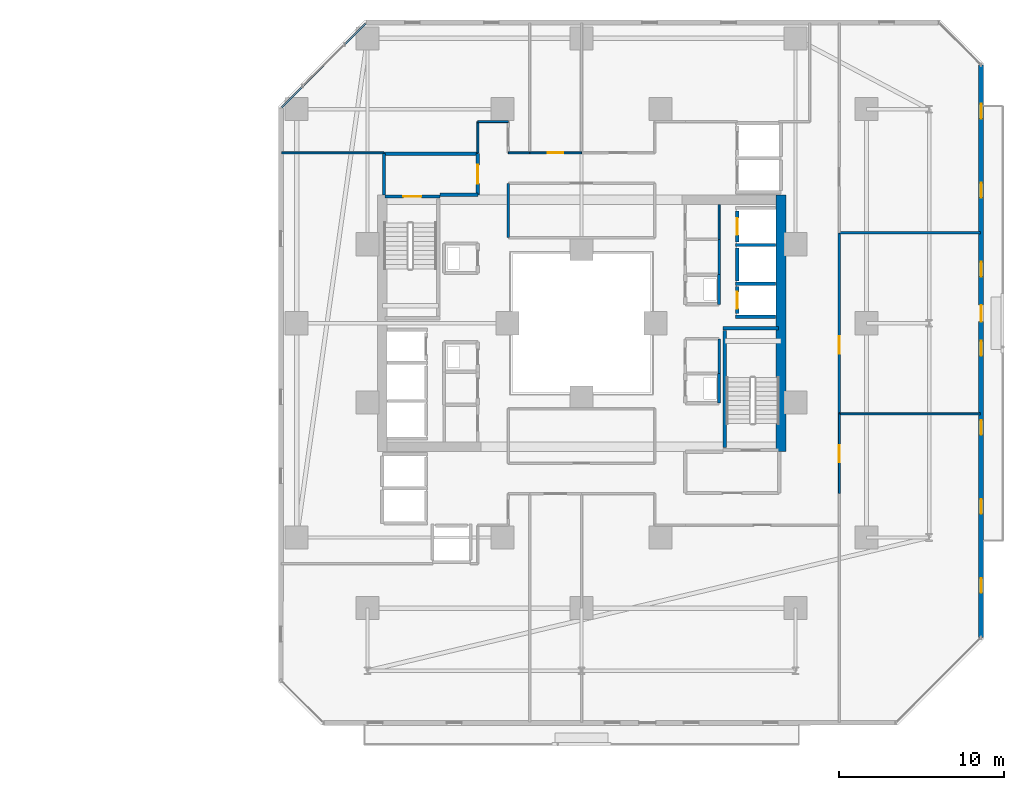
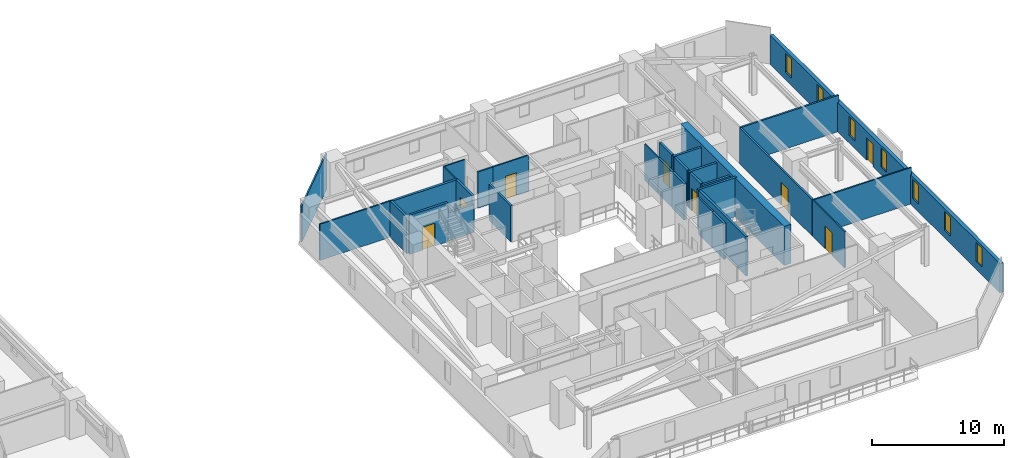
# One storey, part 24 of 33: 31 walls, 8 doors, 7 windows, 15 openings.
"""IFC4 building model written with IfcOpenShell, lengths in metres."""

from ifc_helpers import new_model, si_unit, direction, frame, frame_2d, origin, place, context, subcontext, project, spatial, rectangle, extrude, material, layer, layer_set, type_object, element, fill, save


model = new_model("IFC4")

# Units and contexts
model_context = context("Model", 3, precision=1e-05, world=origin(), true_north=direction((0.0, 1.0)))
body_context = subcontext(model_context, "Body", "Model", "MODEL_VIEW")
ifc_project = project(units=[si_unit("LENGTHUNIT", "METRE"), si_unit("AREAUNIT", "SQUARE_METRE"), si_unit("VOLUMEUNIT", "CUBIC_METRE"), si_unit("PLANEANGLEUNIT", "RADIAN"), si_unit("MASSUNIT", "GRAM", prefix="KILO")], contexts=[model_context])

# Site, building, storey
site_placement = place(None, origin())
site = spatial("IfcSite", under=ifc_project, at=site_placement, CompositionType="ELEMENT")
building_placement = place(site_placement, origin())
building = spatial("IfcBuilding", under=site, at=building_placement, Name="Thornwick Lancets Civic Towers", CompositionType="ELEMENT")
storey_placement = place(building_placement, frame((0.0, 0.0, 38.699951171875)))
storey = spatial("IfcBuildingStorey", under=building, at=storey_placement, Name="L09", CompositionType="ELEMENT", Elevation=38.699951171875)

# Wall, opening, door
ifc_material_1 = material(Name="Concrete blockwork C40/50", Category="masonry")
ifc_layer_1 = layer(ifc_material_1, 0.199951171875, Name="Concrete blockwork C40/50")
ifc_layer_set_1 = layer_set([ifc_layer_1], Name="Concrete blockwork C40/50")
wall_type_1 = type_object("IfcWallType", Name="WALL_COMP_200", PredefinedType="STANDARD", material=ifc_layer_set_1)
wall_1_placement = place(storey_placement, frame((97.949951171875, 29.219970703125, 0.0), z_axis=(0.0, 0.0, 1.0), x_axis=(0.0, -1.0, 0.0)))
wall_1 = element("IfcWall", 1, at=wall_1_placement, inside=storey, type_object=wall_type_1, Name="L09 Hoistway Front Wall FL-B1", PredefinedType="STANDARD", context=body_context, shape_type="SweptSolid", body=[
    extrude(rectangle(XDim=1.639892578125, YDim=0.199951171875, at=frame_2d((0.81982421875, 0.0))), origin(), (0.0, 0.0, 1.0), 3.340087890625),
])
opening_1_placement = place(wall_1_placement, frame((0.31005859375, 0.0, 0.0)))
opening_1 = element("IfcOpeningElement", 2, at=opening_1_placement, cuts=wall_1, Name="Opening LD-FL-B1", PredefinedType="OPENING", context=body_context, shape_type="SweptSolid", body=[
    extrude(rectangle(XDim=1.02001953125, YDim=2.06005859375, at=frame_2d((0.510009765625, 1.030029296875))), frame((0.0, 0.10986328125, 0.0), z_axis=(0.0, -1.0, 0.0), x_axis=(1.0, 0.0, 0.0)), (0.0, 0.0, 1.0), 0.219970703125),
])
ifc_material_2 = material(Name="Brushed bronze stainless steel", Category="steel")
door_type_1 = type_object("IfcDoorType", Name="DOOR_LIFT_SLIDE", OperationType="SLIDING_TO_LEFT", PredefinedType="DOOR", material=ifc_material_2)
door_1_placement = place(opening_1_placement, origin())
door_1 = element("IfcDoor", 3, at=door_1_placement, inside=storey, type_object=door_type_1, Name="L09 Sliding Lift Landing Door LD-FL-B1", OperationType="SLIDING_TO_LEFT", OverallHeight=2.06005859375, OverallWidth=1.02001953125, PredefinedType="DOOR", context=body_context, shape_type="SweptSolid", body=[
    extrude(rectangle(XDim=1.02001953125, YDim=2.06005859375, at=frame_2d((0.510009765625, 1.030029296875))), frame((0.0, 0.02490234375, 0.0), z_axis=(0.0, -1.0, 0.0), x_axis=(1.0, 0.0, 0.0)), (0.0, 0.0, 1.0), 0.050048828125),
])
fill(opening_1, door_1)

# Wall
wall_2_placement = place(storey_placement, frame((97.949951171875, 31.570068359375, 0.0), z_axis=(0.0, 0.0, 1.0), x_axis=(0.0, -1.0, 0.0)))
element("IfcWall", 4, at=wall_2_placement, inside=storey, type_object=wall_type_1, Name="L09 Hoistway Front Wall PL-BH1", PredefinedType="STANDARD", context=body_context, shape_type="SweptSolid", body=[
    extrude(rectangle(XDim=1.989990234375, YDim=0.199951171875, at=frame_2d((0.9951171875, 0.0))), origin(), (0.0, 0.0, 1.0), 3.340087890625),
])

# Wall, opening, door
wall_3_placement = place(storey_placement, frame((97.949951171875, 33.820068359375, 0.0), z_axis=(0.0, 0.0, 1.0), x_axis=(0.0, -1.0, 0.0)))
wall_3 = element("IfcWall", 5, at=wall_3_placement, inside=storey, type_object=wall_type_1, Name="L09 Hoistway Front Wall PL-BL1", PredefinedType="STANDARD", context=body_context, shape_type="SweptSolid", body=[
    extrude(rectangle(XDim=1.89013671875, YDim=0.199951171875, at=frame_2d((0.945068359375, 0.0))), origin(), (0.0, 0.0, 1.0), 3.340087890625),
])
opening_2_placement = place(wall_3_placement, frame((0.43505859375, 0.0, 0.0)))
opening_2 = element("IfcOpeningElement", 6, at=opening_2_placement, cuts=wall_3, Name="Opening LD-PL-BL1", PredefinedType="OPENING", context=body_context, shape_type="SweptSolid", body=[
    extrude(rectangle(XDim=1.02001953125, YDim=2.06005859375, at=frame_2d((0.510009765625, 1.030029296875))), frame((0.0, 0.10986328125, 0.0), z_axis=(0.0, -1.0, 0.0), x_axis=(1.0, 0.0, 0.0)), (0.0, 0.0, 1.0), 0.219970703125),
])
door_2_placement = place(opening_2_placement, origin())
door_2 = element("IfcDoor", 7, at=door_2_placement, inside=storey, type_object=door_type_1, Name="L09 Sliding Lift Landing Door LD-PL-BL1", OperationType="SLIDING_TO_LEFT", OverallHeight=2.06005859375, OverallWidth=1.02001953125, PredefinedType="DOOR", context=body_context, shape_type="SweptSolid", body=[
    extrude(rectangle(XDim=1.02001953125, YDim=2.06005859375, at=frame_2d((0.510009765625, 1.030029296875))), frame((0.0, 0.02490234375, 0.0), z_axis=(0.0, -1.0, 0.0), x_axis=(1.0, 0.0, 0.0)), (0.0, 0.0, 1.0), 0.050048828125),
])
fill(opening_2, door_2)

# Walls
for number, where, z_axis, x_axis, name in (
    (8, (97.85205078125, 29.39990234375, 0.0), (0.0, 0.0, 1.0), (1.0, 0.0, 0.0), "L09 Hoistway Shaft Wall FL-B1 N"),
    (9, (97.85205078125, 27.39990234375, 0.0), (0.0, 0.0, 1.0), (1.0, 0.0, 0.0), "L09 Hoistway Shaft Wall FL-B1 S"),
    (10, (97.85205078125, 31.75, 0.0), (0.0, 0.0, 1.0), (1.0, 0.0, 0.0), "L09 Hoistway Shaft Wall PL-BH1 N"),
):
    element("IfcWall", number, at=place(storey_placement, frame(where, z_axis=z_axis, x_axis=x_axis)), inside=storey, type_object=wall_type_1, Name=name, PredefinedType="STANDARD", context=body_context, shape_type="SweptSolid", body=[
        extrude(rectangle(XDim=2.43603515625, YDim=0.199951171875, at=frame_2d((1.218017578125, 0.0))), origin(), (0.0, 0.0, 1.0), 3.340087890625),
    ])
wall_4_placement = place(storey_placement, frame((79.89990234375, 34.800048828125, 0.0), z_axis=(0.0, 0.0, 1.0), x_axis=(1.0, 0.0, 0.0)))
element("IfcWall", 11, at=wall_4_placement, inside=storey, type_object=wall_type_1, Name="L09 Partition L09-B-FFLOB2 E1", PredefinedType="STANDARD", context=body_context, shape_type="SweptSolid", body=[
    extrude(rectangle(XDim=2.300048828125, YDim=0.199951171875, at=frame_2d((1.14990234375, 0.0))), origin(), (0.0, 0.0, 1.0), 2.545166015625),
])

# Wall, opening, door
wall_5_placement = place(storey_placement, frame((82.199951171875, 34.800048828125, 0.0), z_axis=(0.0, 0.0, 1.0), x_axis=(0.0, 1.0, 0.0)))
wall_5 = element("IfcWall", 12, at=wall_5_placement, inside=storey, type_object=wall_type_1, Name="L09 Partition L09-B-FFLOB2 E2", PredefinedType="STANDARD", context=body_context, shape_type="SweptSolid", body=[
    extrude(rectangle(XDim=2.5, YDim=0.199951171875, at=frame_2d((1.25, 0.0))), origin(), (0.0, 0.0, 1.0), 3.340087890625),
])
opening_3_placement = place(wall_5_placement, frame((0.675048828125, 0.0, 0.0)))
opening_3 = element("IfcOpeningElement", 13, at=opening_3_placement, cuts=wall_5, Name="Opening D-L09-0451", PredefinedType="OPENING", context=body_context, shape_type="SweptSolid", body=[
    extrude(rectangle(XDim=1.14990234375, YDim=2.10009765625, at=frame_2d((0.574951171875, 1.050048828125))), frame((0.0, 0.10986328125, 0.0), z_axis=(0.0, -1.0, 0.0), x_axis=(1.0, 0.0, 0.0)), (0.0, 0.0, 1.0), 0.219970703125),
])
ifc_material_3 = material(Name="Glazed fire-resisting steel", Category="steel")
door_type_2 = type_object("IfcDoorType", Name="DOOR_LOBBY_FD60", OperationType="NOTDEFINED", PredefinedType="DOOR", material=ifc_material_3)
door_3_placement = place(opening_3_placement, origin())
door_3 = element("IfcDoor", 14, at=door_3_placement, inside=storey, type_object=door_type_2, Name="L09 West Firefighting Lobby 2 Door", OperationType="SINGLE_SWING_RIGHT", OverallHeight=2.10009765625, OverallWidth=1.14990234375, PredefinedType="DOOR", context=body_context, shape_type="SweptSolid", body=[
    extrude(rectangle(XDim=1.14990234375, YDim=2.10009765625, at=frame_2d((0.574951171875, 1.050048828125))), frame((0.0, 0.02490234375, 0.0), z_axis=(0.0, -1.0, 0.0), x_axis=(1.0, 0.0, 0.0)), (0.0, 0.0, 1.0), 0.050048828125),
])
fill(opening_3, door_3)

# Walls
wall_6_placement = place(storey_placement, frame((82.199951171875, 37.300048828125, 0.0), z_axis=(0.0, 0.0, 1.0), x_axis=(-1.0, 0.0, 0.0)))
element("IfcWall", 15, at=wall_6_placement, inside=storey, type_object=wall_type_1, Name="L09 Partition L09-B-FFLOB2 E3", PredefinedType="STANDARD", context=body_context, shape_type="SweptSolid", body=[
    extrude(rectangle(XDim=5.699951171875, YDim=0.199951171875, at=frame_2d((2.85009765625, 0.0))), origin(), (0.0, 0.0, 1.0), 3.340087890625),
])
wall_7_placement = place(storey_placement, frame((76.5, 37.300048828125, 0.0), z_axis=(0.0, 0.0, 1.0), x_axis=(0.0, -1.0, 0.0)))
element("IfcWall", 16, at=wall_7_placement, inside=storey, type_object=wall_type_1, Name="L09 Partition L09-B-FFLOB2 E4", PredefinedType="STANDARD", context=body_context, shape_type="SweptSolid", body=[
    extrude(rectangle(XDim=2.5, YDim=0.199951171875, at=frame_2d((1.25, 0.0))), origin(), (0.0, 0.0, 1.0), 3.340087890625),
])
for number, where, z_axis, x_axis, name in (
    (17, (96.85009765625, 28.14990234375, 0.0), (0.0, 0.0, 1.0), (0.0, 1.0, 0.0), "L09 Partition L09-B-DUCT1 E2"),
    (18, (96.85009765625, 22.14990234375, 0.0), (0.0, 0.0, 1.0), (0.0, 1.0, 0.0), "L09 Partition L09-B-RISER1 E2"),
):
    element("IfcWall", number, at=place(storey_placement, frame(where, z_axis=z_axis, x_axis=x_axis)), inside=storey, type_object=wall_type_1, Name=name, PredefinedType="STANDARD", context=body_context, shape_type="SweptSolid", body=[
        extrude(rectangle(XDim=1.800048828125, YDim=0.199951171875, at=frame_2d((0.89990234375, 0.0))), origin(), (0.0, 0.0, 1.0), 3.340087890625),
    ])
ifc_material_4 = material(Name="Concrete C60/75", Category="concrete")
ifc_layer_2 = layer(ifc_material_4, 0.60009765625, Name="Concrete C60/75")
ifc_layer_set_2 = layer_set([ifc_layer_2], Name="Concrete C60/75")
wall_type_2 = type_object("IfcWallType", Name="WALL_CORE_600", PredefinedType="SHEAR", material=ifc_layer_set_2)
wall_8_placement = place(storey_placement, frame((100.60009765625, 19.199951171875, 0.0), z_axis=(0.0, 0.0, 1.0), x_axis=(0.0, 1.0, 0.0)))
element("IfcWall", 19, at=wall_8_placement, inside=storey, type_object=wall_type_2, Name="L09 Split Core B1 Shear Wall E", PredefinedType="SHEAR", context=body_context, shape_type="SweptSolid", body=[
    extrude(rectangle(XDim=15.60009765625, YDim=0.60009765625, at=frame_2d((7.800048828125, 0.0))), origin(), (0.0, 0.0, 1.0), 3.60009765625),
])

# Wall, openings, door, windows
ifc_material_5 = material(Name="Insulated russet terracotta rainscreen on concrete C40/50", Category="masonry")
ifc_layer_3 = layer(ifc_material_5, 0.300048828125, Name="Insulated russet terracotta rainscreen on concrete C40/50")
ifc_layer_set_3 = layer_set([ifc_layer_3], Name="Insulated russet terracotta rainscreen on concrete C40/50")
wall_type_3 = type_object("IfcWallType", Name="WALL_EXT_RUSSET_300", PredefinedType="STANDARD", material=ifc_layer_set_3)
wall_9_placement = place(storey_placement, frame((112.75634765625, 7.926513671875, 0.0), z_axis=(0.0, 0.0, 1.0), x_axis=(0.000245864205, 0.999999969775, 0.0)))
wall_9 = element("IfcWall", 20, at=wall_9_placement, inside=storey, type_object=wall_type_3, Name="L09 Tower B Terracotta Facade Wall E2", PredefinedType="STANDARD", context=body_context, shape_type="SweptSolid", body=[
    extrude(rectangle(XDim=34.754638671875, YDim=0.300048828125, at=frame_2d((17.37744140625, 0.0))), origin(), (0.0, 0.0, 1.0), 2.699951171875),
])
opening_4_placement = place(wall_9_placement, frame((19.17724609375, 0.0, 0.0)))
opening_4 = element("IfcOpeningElement", 21, at=opening_4_placement, cuts=wall_9, Name="Opening D-BL-L09-BE", PredefinedType="OPENING", context=body_context, shape_type="SweptSolid", body=[
    extrude(rectangle(XDim=1.0, YDim=2.080078125, at=frame_2d((0.5, 1.0400390625))), frame((0.0, 0.16015625, 0.0), z_axis=(0.0, -1.0, 0.0), x_axis=(1.0, 0.0, 0.0)), (0.0, 0.0, 1.0), 0.320068359375),
])
opening_5_placement = place(wall_9_placement, frame((2.699951171875, 0.0, 0.719970703125)))
opening_5 = element("IfcOpeningElement", 22, at=opening_5_placement, cuts=wall_9, Name="Opening WL-01", PredefinedType="OPENING", context=body_context, shape_type="SweptSolid", body=[
    extrude(rectangle(XDim=0.89990234375, YDim=1.75, at=frame_2d((0.449951171875, 0.875))), frame((0.0, 0.16015625, 0.0), z_axis=(0.0, -1.0, 0.0), x_axis=(1.0, 0.0, 0.0)), (0.0, 0.0, 1.0), 0.320068359375),
])
opening_6_placement = place(wall_9_placement, frame((7.5, 0.0, 0.719970703125)))
opening_6 = element("IfcOpeningElement", 23, at=opening_6_placement, cuts=wall_9, Name="Opening WL-01", PredefinedType="OPENING", context=body_context, shape_type="SweptSolid", body=[
    extrude(rectangle(XDim=0.89990234375, YDim=1.75, at=frame_2d((0.449951171875, 0.875))), frame((0.0, 0.16015625, 0.0), z_axis=(0.0, -1.0, 0.0), x_axis=(1.0, 0.0, 0.0)), (0.0, 0.0, 1.0), 0.320068359375),
])
opening_7_placement = place(wall_9_placement, frame((12.300048828125, 0.0, 0.719970703125)))
opening_7 = element("IfcOpeningElement", 24, at=opening_7_placement, cuts=wall_9, Name="Opening WL-01", PredefinedType="OPENING", context=body_context, shape_type="SweptSolid", body=[
    extrude(rectangle(XDim=0.89990234375, YDim=1.75, at=frame_2d((0.449951171875, 0.875))), frame((0.0, 0.16015625, 0.0), z_axis=(0.0, -1.0, 0.0), x_axis=(1.0, 0.0, 0.0)), (0.0, 0.0, 1.0), 0.320068359375),
])
opening_8_placement = place(wall_9_placement, frame((17.10009765625, 0.0, 0.719970703125)))
opening_8 = element("IfcOpeningElement", 25, at=opening_8_placement, cuts=wall_9, Name="Opening WL-01", PredefinedType="OPENING", context=body_context, shape_type="SweptSolid", body=[
    extrude(rectangle(XDim=0.89990234375, YDim=1.75, at=frame_2d((0.449951171875, 0.875))), frame((0.0, 0.16015625, 0.0), z_axis=(0.0, -1.0, 0.0), x_axis=(1.0, 0.0, 0.0)), (0.0, 0.0, 1.0), 0.320068359375),
])
opening_9_placement = place(wall_9_placement, frame((21.89990234375, 0.0, 0.719970703125)))
opening_9 = element("IfcOpeningElement", 26, at=opening_9_placement, cuts=wall_9, Name="Opening WL-01", PredefinedType="OPENING", context=body_context, shape_type="SweptSolid", body=[
    extrude(rectangle(XDim=0.89990234375, YDim=1.75, at=frame_2d((0.449951171875, 0.875))), frame((0.0, 0.16015625, 0.0), z_axis=(0.0, -1.0, 0.0), x_axis=(1.0, 0.0, 0.0)), (0.0, 0.0, 1.0), 0.320068359375),
])
opening_10_placement = place(wall_9_placement, frame((26.699951171875, 0.0, 0.719970703125)))
opening_10 = element("IfcOpeningElement", 27, at=opening_10_placement, cuts=wall_9, Name="Opening WL-01", PredefinedType="OPENING", context=body_context, shape_type="SweptSolid", body=[
    extrude(rectangle(XDim=0.89990234375, YDim=1.75, at=frame_2d((0.449951171875, 0.875))), frame((0.0, 0.16015625, 0.0), z_axis=(0.0, -1.0, 0.0), x_axis=(1.0, 0.0, 0.0)), (0.0, 0.0, 1.0), 0.320068359375),
])
opening_11_placement = place(wall_9_placement, frame((31.5, 0.0, 0.719970703125)))
opening_11 = element("IfcOpeningElement", 28, at=opening_11_placement, cuts=wall_9, Name="Opening WL-01", PredefinedType="OPENING", context=body_context, shape_type="SweptSolid", body=[
    extrude(rectangle(XDim=0.89990234375, YDim=1.75, at=frame_2d((0.449951171875, 0.875))), frame((0.0, 0.16015625, 0.0), z_axis=(0.0, -1.0, 0.0), x_axis=(1.0, 0.0, 0.0)), (0.0, 0.0, 1.0), 0.320068359375),
])
ifc_material_6 = material(Name="Thermally broken glazed loggia doorset")
door_type_3 = type_object("IfcDoorType", Name="DOOR_BALC_1000", OperationType="NOTDEFINED", PredefinedType="DOOR", material=ifc_material_6)
door_4_placement = place(opening_4_placement, origin())
door_4 = element("IfcDoor", 29, at=door_4_placement, inside=storey, type_object=door_type_3, Name="L09 Tower B Loggia Balcony Door E", OperationType="SINGLE_SWING_RIGHT", OverallHeight=2.080078125, OverallWidth=1.0, PredefinedType="DOOR", context=body_context, shape_type="SweptSolid", body=[
    extrude(rectangle(XDim=1.0, YDim=2.080078125, at=frame_2d((0.5, 1.0400390625))), frame((0.0, 0.02490234375, 0.0), z_axis=(0.0, -1.0, 0.0), x_axis=(1.0, 0.0, 0.0)), (0.0, 0.0, 1.0), 0.050048828125),
])
fill(opening_4, door_4)
ifc_material_7 = material(Name="Clear low-e double glazing in bronze frame", Category="glass")
window_type = type_object("IfcWindowType", Name="WIN_LANCET_900", PartitioningType="SINGLE_PANEL", PredefinedType="WINDOW", material=ifc_material_7)
window_1_placement = place(opening_5_placement, origin())
window_1 = element("IfcWindow", 30, at=window_1_placement, inside=storey, type_object=window_type, Name="L09 Tower B Staggered Lancet Window E2-1", OverallHeight=1.75, OverallWidth=0.89990234375, PartitioningType="SINGLE_PANEL", PredefinedType="WINDOW", context=body_context, shape_type="SweptSolid", body=[
    extrude(rectangle(XDim=0.89990234375, YDim=1.75, at=frame_2d((0.449951171875, 0.875))), frame((0.0, 0.030029296875, 0.0), z_axis=(0.0, -1.0, 0.0), x_axis=(1.0, 0.0, 0.0)), (0.0, 0.0, 1.0), 0.06005859375),
])
fill(opening_5, window_1)
window_2_placement = place(opening_6_placement, origin())
window_2 = element("IfcWindow", 31, at=window_2_placement, inside=storey, type_object=window_type, Name="L09 Tower B Staggered Lancet Window E2-2", OverallHeight=1.75, OverallWidth=0.89990234375, PartitioningType="SINGLE_PANEL", PredefinedType="WINDOW", context=body_context, shape_type="SweptSolid", body=[
    extrude(rectangle(XDim=0.89990234375, YDim=1.75, at=frame_2d((0.449951171875, 0.875))), frame((0.0, 0.030029296875, 0.0), z_axis=(0.0, -1.0, 0.0), x_axis=(1.0, 0.0, 0.0)), (0.0, 0.0, 1.0), 0.06005859375),
])
fill(opening_6, window_2)
window_3_placement = place(opening_7_placement, origin())
window_3 = element("IfcWindow", 32, at=window_3_placement, inside=storey, type_object=window_type, Name="L09 Tower B Staggered Lancet Window E2-3", OverallHeight=1.75, OverallWidth=0.89990234375, PartitioningType="SINGLE_PANEL", PredefinedType="WINDOW", context=body_context, shape_type="SweptSolid", body=[
    extrude(rectangle(XDim=0.89990234375, YDim=1.75, at=frame_2d((0.449951171875, 0.875))), frame((0.0, 0.030029296875, 0.0), z_axis=(0.0, -1.0, 0.0), x_axis=(1.0, 0.0, 0.0)), (0.0, 0.0, 1.0), 0.06005859375),
])
fill(opening_7, window_3)
window_4_placement = place(opening_8_placement, origin())
window_4 = element("IfcWindow", 33, at=window_4_placement, inside=storey, type_object=window_type, Name="L09 Tower B Staggered Lancet Window E2-4", OverallHeight=1.75, OverallWidth=0.89990234375, PartitioningType="SINGLE_PANEL", PredefinedType="WINDOW", context=body_context, shape_type="SweptSolid", body=[
    extrude(rectangle(XDim=0.89990234375, YDim=1.75, at=frame_2d((0.449951171875, 0.875))), frame((0.0, 0.030029296875, 0.0), z_axis=(0.0, -1.0, 0.0), x_axis=(1.0, 0.0, 0.0)), (0.0, 0.0, 1.0), 0.06005859375),
])
fill(opening_8, window_4)
window_5_placement = place(opening_9_placement, origin())
window_5 = element("IfcWindow", 34, at=window_5_placement, inside=storey, type_object=window_type, Name="L09 Tower B Staggered Lancet Window E2-5", OverallHeight=1.75, OverallWidth=0.89990234375, PartitioningType="SINGLE_PANEL", PredefinedType="WINDOW", context=body_context, shape_type="SweptSolid", body=[
    extrude(rectangle(XDim=0.89990234375, YDim=1.75, at=frame_2d((0.449951171875, 0.875))), frame((0.0, 0.030029296875, 0.0), z_axis=(0.0, -1.0, 0.0), x_axis=(1.0, 0.0, 0.0)), (0.0, 0.0, 1.0), 0.06005859375),
])
fill(opening_9, window_5)
window_6_placement = place(opening_10_placement, origin())
window_6 = element("IfcWindow", 35, at=window_6_placement, inside=storey, type_object=window_type, Name="L09 Tower B Staggered Lancet Window E2-6", OverallHeight=1.75, OverallWidth=0.89990234375, PartitioningType="SINGLE_PANEL", PredefinedType="WINDOW", context=body_context, shape_type="SweptSolid", body=[
    extrude(rectangle(XDim=0.89990234375, YDim=1.75, at=frame_2d((0.449951171875, 0.875))), frame((0.0, 0.030029296875, 0.0), z_axis=(0.0, -1.0, 0.0), x_axis=(1.0, 0.0, 0.0)), (0.0, 0.0, 1.0), 0.06005859375),
])
fill(opening_10, window_6)
window_7_placement = place(opening_11_placement, origin())
window_7 = element("IfcWindow", 36, at=window_7_placement, inside=storey, type_object=window_type, Name="L09 Tower B Staggered Lancet Window E2-7", OverallHeight=1.75, OverallWidth=0.89990234375, PartitioningType="SINGLE_PANEL", PredefinedType="WINDOW", context=body_context, shape_type="SweptSolid", body=[
    extrude(rectangle(XDim=0.89990234375, YDim=1.75, at=frame_2d((0.449951171875, 0.875))), frame((0.0, 0.030029296875, 0.0), z_axis=(0.0, -1.0, 0.0), x_axis=(1.0, 0.0, 0.0)), (0.0, 0.0, 1.0), 0.06005859375),
])
fill(opening_11, window_7)

# Wall
ifc_material_8 = material(Name="Acoustic gypsum board partition")
ifc_layer_4 = layer(ifc_material_8, 0.1201171875, Name="Acoustic gypsum board partition")
ifc_layer_set_4 = layer_set([ifc_layer_4], Name="Acoustic gypsum board partition")
wall_type_4 = type_object("IfcWallType", Name="WALL_PART_120", PredefinedType="PARTITIONING", material=ifc_layer_set_4)
wall_10_placement = place(storey_placement, frame((96.85009765625, 34.199951171875, 0.0), z_axis=(0.0, 0.0, 1.0), x_axis=(0.0, -1.0, 0.0)))
element("IfcWall", 37, at=wall_10_placement, inside=storey, type_object=wall_type_4, Name="L09 Partition L09-B-ITR E3", PredefinedType="PARTITIONING", context=body_context, shape_type="SweptSolid", body=[
    extrude(rectangle(XDim=2.099853515625, YDim=0.1201171875, at=frame_2d((1.0498046875, 0.0))), origin(), (0.0, 0.0, 1.0), 3.340087890625),
])

# Wall, opening, door
wall_11_placement = place(storey_placement, frame((88.5, 37.35009765625, 0.0), z_axis=(0.0, 0.0, 1.0), x_axis=(-1.0, 0.0, 0.0)))
wall_11 = element("IfcWall", 38, at=wall_11_placement, inside=storey, type_object=wall_type_4, Name="L09 Partition L09-B-E2 E4", PredefinedType="PARTITIONING", context=body_context, shape_type="SweptSolid", body=[
    extrude(rectangle(XDim=3.14990234375, YDim=0.1201171875, at=frame_2d((1.574951171875, 0.0))), origin(), (0.0, 0.0, 1.0), 3.340087890625),
])
opening_12_placement = place(wall_11_placement, frame((1.10009765625, 0.0, 0.0)))
opening_12 = element("IfcOpeningElement", 39, at=opening_12_placement, cuts=wall_11, Name="Opening D-L09-0476", PredefinedType="OPENING", context=body_context, shape_type="SweptSolid", body=[
    extrude(rectangle(XDim=0.949951171875, YDim=2.10009765625, at=frame_2d((0.47509765625, 1.050048828125))), frame((0.0, 0.070068359375, 0.0), z_axis=(0.0, -1.0, 0.0), x_axis=(1.0, 0.0, 0.0)), (0.0, 0.0, 1.0), 0.14013671875),
])
ifc_material_9 = material(Name="European oak acoustic doorset")
door_type_4 = type_object("IfcDoorType", Name="DOOR_OFFICE_950", OperationType="NOTDEFINED", PredefinedType="DOOR", material=ifc_material_9)
door_5_placement = place(opening_12_placement, origin())
door_5 = element("IfcDoor", 40, at=door_5_placement, inside=storey, type_object=door_type_4, Name="L09 Tower B Visitors Reception and Waiting Door", OperationType="SINGLE_SWING_LEFT", OverallHeight=2.10009765625, OverallWidth=0.949951171875, PredefinedType="DOOR", context=body_context, shape_type="SweptSolid", body=[
    extrude(rectangle(XDim=0.949951171875, YDim=2.10009765625, at=frame_2d((0.47509765625, 1.050048828125))), frame((0.0, 0.02490234375, 0.0), z_axis=(0.0, -1.0, 0.0), x_axis=(1.0, 0.0, 0.0)), (0.0, 0.0, 1.0), 0.050048828125),
])
fill(opening_12, door_5)

# Walls
wall_12_placement = place(storey_placement, frame((84.050048828125, 39.25, 0.0), z_axis=(0.0, 0.0, 1.0), x_axis=(-1.0, 0.0, 0.0)))
element("IfcWall", 41, at=wall_12_placement, inside=storey, type_object=wall_type_4, Name="L09 Partition L09-B-E3 E2", PredefinedType="PARTITIONING", context=body_context, shape_type="SweptSolid", body=[
    extrude(rectangle(XDim=1.85009765625, YDim=0.1201171875, at=frame_2d((0.925048828125, 0.0))), origin(), (0.0, 0.0, 1.0), 3.340087890625),
])
wall_13_placement = place(storey_placement, frame((82.199951171875, 39.25, 0.0), z_axis=(0.0, 0.0, 1.0), x_axis=(0.0, -1.0, 0.0)))
element("IfcWall", 42, at=wall_13_placement, inside=storey, type_object=wall_type_4, Name="L09 Partition L09-B-E3 E3", PredefinedType="PARTITIONING", context=body_context, shape_type="SweptSolid", body=[
    extrude(rectangle(XDim=1.89990234375, YDim=0.1201171875, at=frame_2d((0.949951171875, 0.0))), origin(), (0.0, 0.0, 1.0), 3.340087890625),
])
wall_14_placement = place(storey_placement, frame((76.5, 37.35009765625, 0.0), z_axis=(0.0, 0.0, 1.0), x_axis=(-1.0, 0.0, 0.0)))
element("IfcWall", 43, at=wall_14_placement, inside=storey, type_object=wall_type_4, Name="L09 Partition L09-B-E3 E4", PredefinedType="PARTITIONING", context=body_context, shape_type="SweptSolid", body=[
    extrude(rectangle(XDim=6.219970703125, YDim=0.1201171875, at=frame_2d((3.10986328125, 0.0))), origin(), (0.0, 0.0, 1.0), 3.340087890625),
])
wall_15_placement = place(storey_placement, frame((70.280029296875, 40.107421875, 0.0), z_axis=(0.0, 0.0, 1.0), x_axis=(0.707106781187, 0.707106781187, 0.0)))
element("IfcWall", 44, at=wall_15_placement, inside=storey, type_object=wall_type_4, Name="L09 Partition L09-B-E3 E6", PredefinedType="PARTITIONING", context=body_context, shape_type="SweptSolid", body=[
    extrude(rectangle(XDim=7.230224609375, YDim=0.1201171875, at=frame_2d((3.615234375, 0.0))), origin(), (0.0, 0.0, 1.0), 3.340087890625),
])
wall_16_placement = place(storey_placement, frame((85.35009765625, 37.35009765625, 0.0), z_axis=(0.0, 0.0, 1.0), x_axis=(-1.0, 0.0, 0.0)))
element("IfcWall", 45, at=wall_16_placement, inside=storey, type_object=wall_type_4, Name="L09 Partition L09-B-E3 E9", PredefinedType="PARTITIONING", context=body_context, shape_type="SweptSolid", body=[
    extrude(rectangle(XDim=1.300048828125, YDim=0.1201171875, at=frame_2d((0.64990234375, 0.0))), origin(), (0.0, 0.0, 1.0), 3.340087890625),
])

# Wall, opening, door
wall_17_placement = place(storey_placement, frame((104.14990234375, 16.64990234375, 0.0), z_axis=(0.0, 0.0, 1.0), x_axis=(0.0, 1.0, 0.0)))
wall_17 = element("IfcWall", 46, at=wall_17_placement, inside=storey, type_object=wall_type_4, Name="L09 Partition L09-B-S-OFF1 E4", PredefinedType="PARTITIONING", context=body_context, shape_type="SweptSolid", body=[
    extrude(rectangle(XDim=4.85009765625, YDim=0.1201171875, at=frame_2d((2.425048828125, 0.0))), origin(), (0.0, 0.0, 1.0), 3.340087890625),
])
opening_13_placement = place(wall_17_placement, frame((1.89990234375, 0.0, 0.0)))
opening_13 = element("IfcOpeningElement", 47, at=opening_13_placement, cuts=wall_17, Name="Opening D-L09-0480", PredefinedType="OPENING", context=body_context, shape_type="SweptSolid", body=[
    extrude(rectangle(XDim=1.050048828125, YDim=2.10009765625, at=frame_2d((0.52490234375, 1.050048828125))), frame((0.0, 0.070068359375, 0.0), z_axis=(0.0, -1.0, 0.0), x_axis=(1.0, 0.0, 0.0)), (0.0, 0.0, 1.0), 0.14013671875),
])
ifc_material_10 = material(Name="Glazed European oak executive doorset")
door_type_5 = type_object("IfcDoorType", Name="DOOR_OFFICE_1050", OperationType="NOTDEFINED", PredefinedType="DOOR", material=ifc_material_10)
door_6_placement = place(opening_13_placement, origin())
door_6 = element("IfcDoor", 48, at=door_6_placement, inside=storey, type_object=door_type_5, Name="L09 Tower B South-West Division Office Door", OperationType="SINGLE_SWING_LEFT", OverallHeight=2.10009765625, OverallWidth=1.050048828125, PredefinedType="DOOR", context=body_context, shape_type="SweptSolid", body=[
    extrude(rectangle(XDim=1.050048828125, YDim=2.10009765625, at=frame_2d((0.52490234375, 1.050048828125))), frame((0.0, 0.02490234375, 0.0), z_axis=(0.0, -1.0, 0.0), x_axis=(1.0, 0.0, 0.0)), (0.0, 0.0, 1.0), 0.050048828125),
])
fill(opening_13, door_6)

# Walls
wall_18_placement = place(storey_placement, frame((104.14990234375, 21.5, 0.0), z_axis=(0.0, 0.0, 1.0), x_axis=(1.0, 0.0, 0.0)))
element("IfcWall", 49, at=wall_18_placement, inside=storey, type_object=wall_type_4, Name="L09 Partition L09-B-S-OFF1 E5", PredefinedType="PARTITIONING", context=body_context, shape_type="SweptSolid", body=[
    extrude(rectangle(XDim=8.570068359375, YDim=0.1201171875, at=frame_2d((4.28515625, 0.0))), origin(), (0.0, 0.0, 1.0), 3.340087890625),
])
ifc_material_11 = material(Name="Twin-stud acoustic gypsum board")
ifc_layer_5 = layer(ifc_material_11, 0.14990234375, Name="Twin-stud acoustic gypsum board")
ifc_layer_set_5 = layer_set([ifc_layer_5], Name="Twin-stud acoustic gypsum board")
wall_type_5 = type_object("IfcWallType", Name="WALL_PART_150", PredefinedType="PARTITIONING", material=ifc_layer_set_5)
wall_19_placement = place(storey_placement, frame((96.85009765625, 26.050048828125, 0.0), z_axis=(0.0, 0.0, 1.0), x_axis=(0.0, -1.0, 0.0)))
element("IfcWall", 50, at=wall_19_placement, inside=storey, type_object=wall_type_5, Name="L09 Partition L09-B-MWC E3", PredefinedType="PARTITIONING", context=body_context, shape_type="SweptSolid", body=[
    extrude(rectangle(XDim=2.10009765625, YDim=0.14990234375, at=frame_2d((1.050048828125, 0.0))), origin(), (0.0, 0.0, 1.0), 3.340087890625),
])
wall_20_placement = place(storey_placement, frame((96.85009765625, 32.10009765625, 0.0), z_axis=(0.0, 0.0, 1.0), x_axis=(0.0, -1.0, 0.0)))
element("IfcWall", 51, at=wall_20_placement, inside=storey, type_object=wall_type_5, Name="L09 Partition L09-B-FWC E3", PredefinedType="PARTITIONING", context=body_context, shape_type="SweptSolid", body=[
    extrude(rectangle(XDim=2.150146484375, YDim=0.14990234375, at=frame_2d((1.0751953125, 0.0))), origin(), (0.0, 0.0, 1.0), 3.340087890625),
])
wall_21_placement = place(storey_placement, frame((84.050048828125, 32.199951171875, 0.0), z_axis=(0.0, 0.0, 1.0), x_axis=(0.0, 1.0, 0.0)))
element("IfcWall", 52, at=wall_21_placement, inside=storey, type_object=wall_type_5, Name="L09 Partition L09-B-ATR-E E1", PredefinedType="PARTITIONING", context=body_context, shape_type="SweptSolid", body=[
    extrude(rectangle(XDim=3.300048828125, YDim=0.14990234375, at=frame_2d((1.64990234375, 0.0))), origin(), (0.0, 0.0, 1.0), 3.340087890625),
])

# Wall, opening, door
wall_22_placement = place(storey_placement, frame((104.14990234375, 21.5, 0.0), z_axis=(0.0, 0.0, 1.0), x_axis=(0.0, 1.0, 0.0)))
wall_22 = element("IfcWall", 53, at=wall_22_placement, inside=storey, type_object=wall_type_5, Name="L09 Partition L09-B-S-ARCH E1", PredefinedType="PARTITIONING", context=body_context, shape_type="SweptSolid", body=[
    extrude(rectangle(XDim=11.0, YDim=0.14990234375, at=frame_2d((5.5, 0.0))), origin(), (0.0, 0.0, 1.0), 3.340087890625),
])
opening_14_placement = place(wall_22_placement, frame((3.655029296875, 0.0, 0.0)))
opening_14 = element("IfcOpeningElement", 54, at=opening_14_placement, cuts=wall_22, Name="Opening D-L09-0481", PredefinedType="OPENING", context=body_context, shape_type="SweptSolid", body=[
    extrude(rectangle(XDim=1.050048828125, YDim=2.10009765625, at=frame_2d((0.52490234375, 1.050048828125))), frame((0.0, 0.0849609375, 0.0), z_axis=(0.0, -1.0, 0.0), x_axis=(1.0, 0.0, 0.0)), (0.0, 0.0, 1.0), 0.169921875),
])
door_7_placement = place(opening_14_placement, origin())
door_7 = element("IfcDoor", 55, at=door_7_placement, inside=storey, type_object=door_type_5, Name="L09 Tower B Registry and Records Archive Door", OperationType="SINGLE_SWING_RIGHT", OverallHeight=2.10009765625, OverallWidth=1.050048828125, PredefinedType="DOOR", context=body_context, shape_type="SweptSolid", body=[
    extrude(rectangle(XDim=1.050048828125, YDim=2.10009765625, at=frame_2d((0.52490234375, 1.050048828125))), frame((0.0, 0.02490234375, 0.0), z_axis=(0.0, -1.0, 0.0), x_axis=(1.0, 0.0, 0.0)), (0.0, 0.0, 1.0), 0.050048828125),
])
fill(opening_14, door_7)

# Walls
wall_23_placement = place(storey_placement, frame((104.14990234375, 32.5, 0.0), z_axis=(0.0, 0.0, 1.0), x_axis=(1.0, 0.0, 0.0)))
element("IfcWall", 56, at=wall_23_placement, inside=storey, type_object=wall_type_5, Name="L09 Partition L09-B-S-ARCH E2", PredefinedType="PARTITIONING", context=body_context, shape_type="SweptSolid", body=[
    extrude(rectangle(XDim=8.570068359375, YDim=0.14990234375, at=frame_2d((4.28515625, 0.0))), origin(), (0.0, 0.0, 1.0), 3.340087890625),
])
ifc_material_12 = material(Name="Concrete C40/50", Category="concrete")
ifc_layer_6 = layer(ifc_material_12, 0.199951171875, Name="Concrete C40/50")
ifc_layer_set_6 = layer_set([ifc_layer_6], Name="Concrete C40/50")
wall_type_6 = type_object("IfcWallType", Name="WALL_SHAFT_200", PredefinedType="SHEAR", material=ifc_layer_set_6)
wall_24_placement = place(storey_placement, frame((97.10009765625, 26.699951171875, 0.0), z_axis=(0.0, 0.0, 1.0), x_axis=(1.0, 0.0, 0.0)))
element("IfcWall", 57, at=wall_24_placement, inside=storey, type_object=wall_type_6, Name="L09 ST-B1 Fire Stair Core Wall FAR", PredefinedType="SHEAR", context=body_context, shape_type="SweptSolid", body=[
    extrude(rectangle(XDim=3.349853515625, YDim=0.199951171875, at=frame_2d((1.6748046875, 0.0))), origin(), (0.0, 0.0, 1.0), 3.60009765625),
])
wall_25_placement = place(storey_placement, frame((97.202880859375, 26.550048828125, 0.0), z_axis=(0.0, 0.0, 1.0), x_axis=(0.0, -1.0, 0.0)))
element("IfcWall", 58, at=wall_25_placement, inside=storey, type_object=wall_type_6, Name="L09 ST-B1 Fire Stair Core Wall RIGHT", PredefinedType="SHEAR", context=body_context, shape_type="SweptSolid", body=[
    extrude(rectangle(XDim=7.10009765625, YDim=0.199951171875, at=frame_2d((3.550048828125, 0.0))), origin(), (0.0, 0.0, 1.0), 3.60009765625),
])

# Wall, opening, door
wall_26_placement = place(storey_placement, frame((76.550048828125, 34.699951171875, 0.0), z_axis=(0.0, 0.0, 1.0), x_axis=(1.0, 0.0, 0.0)))
wall_26 = element("IfcWall", 59, at=wall_26_placement, inside=storey, type_object=wall_type_6, Name="L09 ST-B2 Fire Stair Core Wall NEAR", PredefinedType="SHEAR", context=body_context, shape_type="SweptSolid", body=[
    extrude(rectangle(XDim=3.349853515625, YDim=0.199951171875, at=frame_2d((1.6748046875, 0.0))), origin(), (0.0, 0.0, 1.0), 3.60009765625),
])
opening_15_placement = place(wall_26_placement, frame((1.125, 0.0, 0.0)))
opening_15 = element("IfcOpeningElement", 60, at=opening_15_placement, cuts=wall_26, Name="Opening D-ST-B2-L09", PredefinedType="OPENING", context=body_context, shape_type="SweptSolid", body=[
    extrude(rectangle(XDim=1.10009765625, YDim=2.10009765625, at=frame_2d((0.550048828125, 1.050048828125))), frame((0.0, 0.10986328125, 0.0), z_axis=(0.0, -1.0, 0.0), x_axis=(1.0, 0.0, 0.0)), (0.0, 0.0, 1.0), 0.219970703125),
])
ifc_material_13 = material(Name="Fire-resisting steel and hardwood", Category="steel")
door_type_6 = type_object("IfcDoorType", Name="DOOR_STAIR_FD60", OperationType="NOTDEFINED", PredefinedType="DOOR", material=ifc_material_13)
door_8_placement = place(opening_15_placement, origin())
door_8 = element("IfcDoor", 61, at=door_8_placement, inside=storey, type_object=door_type_6, Name="L09 ST-B2 Exit Stair Door", OperationType="SINGLE_SWING_LEFT", OverallHeight=2.10009765625, OverallWidth=1.10009765625, PredefinedType="DOOR", context=body_context, shape_type="SweptSolid", body=[
    extrude(rectangle(XDim=1.10009765625, YDim=2.10009765625, at=frame_2d((0.550048828125, 1.050048828125))), frame((0.0, 0.02490234375, 0.0), z_axis=(0.0, -1.0, 0.0), x_axis=(1.0, 0.0, 0.0)), (0.0, 0.0, 1.0), 0.050048828125),
])
fill(opening_15, door_8)

save(model, "model.ifc")
